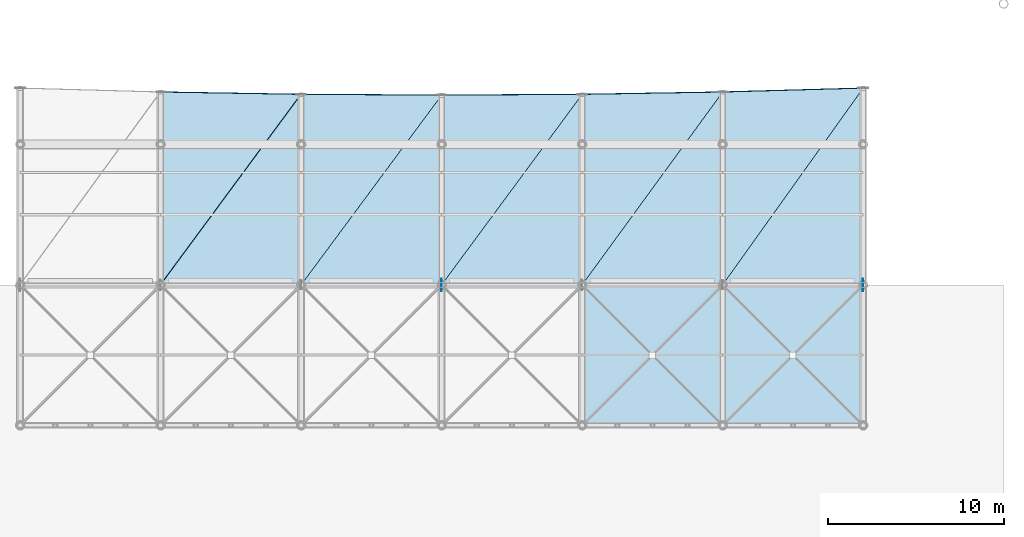
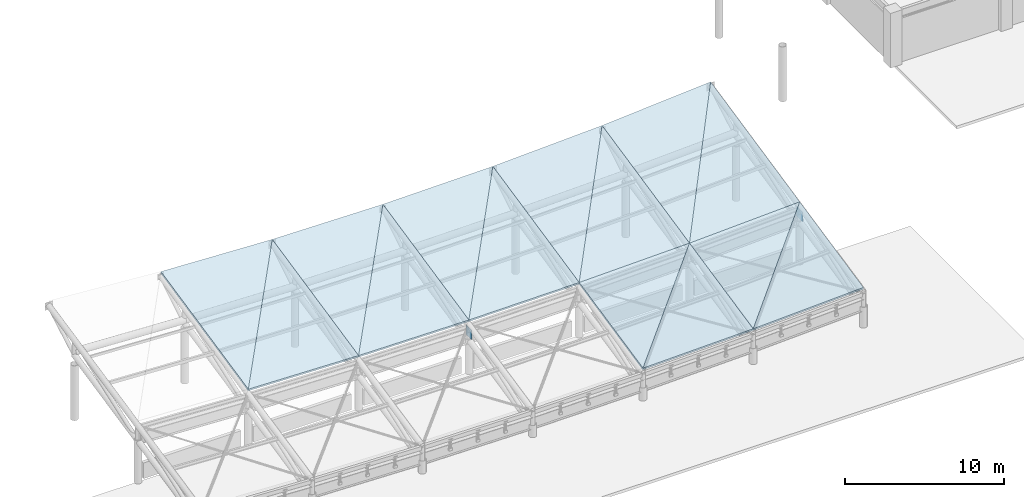
# One storey, part 43 of 78: 14 slabs, 2 plates.
"""IFC4 building model written with IfcOpenShell, lengths in metres."""

from ifc_helpers import new_model, si_unit, direction, frame, origin, origin_2d, place, context, subcontext, project, spatial, polyline, rectangle, outline, extrude, material, layer, layer_set, type_object, element, save


model = new_model("IFC4")

# Units and contexts
model_context = context("Model", 3, precision=1e-05, world=origin(), true_north=direction((0.0, 1.0)))
body_context = subcontext(model_context, "Body", "Model", "MODEL_VIEW")
ifc_project = project(units=[si_unit("LENGTHUNIT", "METRE"), si_unit("AREAUNIT", "SQUARE_METRE"), si_unit("VOLUMEUNIT", "CUBIC_METRE"), si_unit("PLANEANGLEUNIT", "RADIAN"), si_unit("MASSUNIT", "GRAM", prefix="KILO")], contexts=[model_context])

# Site, building, storey
site_placement = place(None, origin())
site = spatial("IfcSite", under=ifc_project, at=site_placement, CompositionType="ELEMENT")
building_placement = place(site_placement, origin())
building = spatial("IfcBuilding", under=site, at=building_placement, Name="Haebicheon Civic Stadium", CompositionType="ELEMENT")
storey_placement = place(building_placement, frame((0.0, 0.0, 18.60009765625)))
storey = spatial("IfcBuildingStorey", under=building, at=storey_placement, Name="L05", CompositionType="ELEMENT", Elevation=18.60009765625)

# Plates
ifc_material_1 = material(Name="White painted steel SM490", Category="steel")
ifc_layer_1 = layer(ifc_material_1, 0.031982421875, Name="White painted steel SM490")
ifc_layer_set_1 = layer_set([ifc_layer_1], Name="White painted steel SM490")
plate_type = type_object("IfcPlateType", Name="PLT-GUS-32", PredefinedType="USERDEFINED", material=ifc_layer_set_1)
for number, where, z_axis, x_axis, name in (
    (1, (104.0, 32.0, 2.7119140625), (0.0, 0.0, 1.0), (0.0, 1.0, 0.0), "CAN-SOUTH heel node gusset plate KN-H04"),
    (2, (128.0, 32.0, 3.3720703125), (0.0, 0.0, 1.0), (0.0, 1.0, 0.0), "CAN-SOUTH heel node gusset plate KN-H07"),
):
    element("IfcPlate", number, at=place(storey_placement, frame(where, z_axis=z_axis, x_axis=x_axis)), inside=storey, type_object=plate_type, material=ifc_layer_set_1, Name=name, ObjectType="GUSSET PLATE", PredefinedType="USERDEFINED", context=body_context, shape_type="SweptSolid", body=[
        extrude(rectangle(XDim=0.719970703125, YDim=0.031982421875, at=origin_2d()), origin(), (0.0, 0.0, 1.0), 0.719970703125),
    ])

# Slabs
ifc_material_2 = material(Name="White painted steel SM490", Category="steel")
ifc_layer_2 = layer(ifc_material_2, 0.159912109375, Name="White painted steel SM490")
ifc_layer_set_2 = layer_set([ifc_layer_2], Name="White painted steel SM490")
slab_type = type_object("IfcSlabType", Name="SLB-CAN-160", PredefinedType="ROOF", material=ifc_layer_set_2)
slab_1_placement = place(storey_placement, frame((88.0, 32.0, 4.29296875), z_axis=(0.026901920407, -0.210085526148, 0.977312825241), x_axis=(0.0, 0.977666664467, 0.210161588283)))
element("IfcSlab", 3, at=slab_1_placement, inside=storey, type_object=slab_type, material=ifc_layer_set_2, Name="CAN-SOUTH curled canopy facet 2.CT-A", PredefinedType="ROOF", context=body_context, shape_type="SweptSolid", body=[
    extrude(outline(polyline([(0.0, 0.0), (11.22880399091171, 0.0), (11.045429035139918, -8.00289642551745), (0.0, 0.0)])), origin(), (0.0, 0.0, -1.0), 0.159912109375),
])
slab_2_placement = place(storey_placement, frame((88.0, 32.0, 4.29296875), z_axis=(0.026872667337, -0.2100649622, 0.977318050282), x_axis=(0.586513016395, 0.795017964149, 0.154754380486)))
element("IfcSlab", 4, at=slab_2_placement, inside=storey, type_object=slab_type, material=ifc_layer_set_2, Name="CAN-SOUTH curled canopy facet 2.CT-B", PredefinedType="ROOF", context=body_context, shape_type="SweptSolid", body=[
    extrude(outline(polyline([(0.0, 0.0), (13.639935988408153, 7.771561172376096e-16), (4.658062701275256, -6.507752221867516), (0.0, 0.0)])), origin(), (0.0, 0.0, -1.0), 0.159912109375),
])
slab_3_placement = place(storey_placement, frame((96.0, 32.0, 4.072998046875), z_axis=(0.008840428225, -0.210132639739, 0.977632917073), x_axis=(0.0, 0.977671121869, 0.210140851487)))
element("IfcSlab", 5, at=slab_3_placement, inside=storey, type_object=slab_type, material=ifc_layer_set_2, Name="CAN-SOUTH curled canopy facet 3.CT-A", PredefinedType="ROOF", context=body_context, shape_type="SweptSolid", body=[
    extrude(outline(polyline([(0.0, 0.0), (11.091658429979399, 0.0), (11.03150755420195, -8.000312631009733), (0.0, 0.0)])), origin(), (0.0, 0.0, -1.0), 0.159912109375),
])
slab_4_placement = place(storey_placement, frame((96.0, 32.0, 4.072998046875), z_axis=(0.008920543912, -0.210189296582, 0.977620009768), x_axis=(0.587063414322, 0.792539192485, 0.165039922263)))
element("IfcSlab", 6, at=slab_4_placement, inside=storey, type_object=slab_type, material=ifc_layer_set_2, Name="CAN-SOUTH curled canopy facet 3.CT-B", PredefinedType="ROOF", context=body_context, shape_type="SweptSolid", body=[
    extrude(outline(polyline([(0.0, 0.0), (13.627147944904262, -2.220446049250313e-16), (4.6844597225905344, -6.485458027177001), (0.0, 0.0)])), origin(), (0.0, 0.0, -1.0), 0.159912109375),
])
slab_5_placement = place(storey_placement, frame((104.0, 32.0, 4.0), z_axis=(-0.008839991367, -0.210189446948, 0.977620709142), x_axis=(0.0, 0.977658909685, 0.210197660104)))
element("IfcSlab", 7, at=slab_5_placement, inside=storey, type_object=slab_type, material=ifc_layer_set_2, Name="CAN-SOUTH curled canopy facet 4.CT-A", PredefinedType="ROOF", context=body_context, shape_type="SweptSolid", body=[
    extrude(outline(polyline([(0.0, 0.0), (11.046847444578171, 0.0), (11.107002429899982, -8.000312600110796), (0.0, 0.0)])), origin(), (0.0, 0.0, -1.0), 0.159912109375),
])
slab_6_placement = place(storey_placement, frame((104.0, 32.0, 4.0), z_axis=(-0.008920655332, -0.210132490016, 0.977632220494), x_axis=(0.584439248595, 0.792206973414, 0.175610011037)))
element("IfcSlab", 8, at=slab_6_placement, inside=storey, type_object=slab_type, material=ifc_layer_set_2, Name="CAN-SOUTH curled canopy facet 4.CT-B", PredefinedType="ROOF", context=body_context, shape_type="SweptSolid", body=[
    extrude(outline(polyline([(0.0, 0.0), (13.688334620299715, -2.7755575615628914e-16), (4.688333176574547, -6.482658462411697), (0.0, 0.0)])), origin(), (0.0, 0.0, -1.0), 0.159912109375),
])
slab_7_placement = place(storey_placement, frame((112.0, 24.0, 2.352783203125), z_axis=(-0.026872189319, -0.210145888951, 0.977300665506), x_axis=(0.0, 0.977653718245, 0.210221804772)))
element("IfcSlab", 9, at=slab_7_placement, inside=storey, type_object=slab_type, material=ifc_layer_set_2, Name="CAN-SOUTH curled canopy facet 5.BS-A", PredefinedType="ROOF", context=body_context, shape_type="SweptSolid", body=[
    extrude(outline(polyline([(0.0, 0.0), (8.182856415009239, 6.938893903907228e-18), (8.229099053217052, -8.002890023525556), (0.0, 0.0)])), origin(), (0.0, 0.0, -1.0), 0.159912109375),
])
slab_8_placement = place(storey_placement, frame((112.0, 24.0, 2.352783203125), z_axis=(-0.026902161196, -0.210117212442, 0.977306006714), x_axis=(0.696933073063, 0.696933073063, 0.169022434437)))
element("IfcSlab", 10, at=slab_8_placement, inside=storey, type_object=slab_type, material=ifc_layer_set_2, Name="CAN-SOUTH curled canopy facet 5.BS-B", PredefinedType="ROOF", context=body_context, shape_type="SweptSolid", body=[
    extrude(outline(polyline([(0.0, 0.0), (11.478864053394075, 3.885780586188048e-16), (5.612685833490747, -5.7049322793474175), (0.0, 0.0)])), origin(), (0.0, 0.0, -1.0), 0.159912109375),
])
slab_9_placement = place(storey_placement, frame((112.0, 32.0, 4.072998046875), z_axis=(-0.026902406056, -0.21006479411, 0.977317268252), x_axis=(0.0, 0.977671121869, 0.210140851487)))
element("IfcSlab", 11, at=slab_9_placement, inside=storey, type_object=slab_type, material=ifc_layer_set_2, Name="CAN-SOUTH curled canopy facet 5.CT-A", PredefinedType="ROOF", context=body_context, shape_type="SweptSolid", body=[
    extrude(outline(polyline([(0.0, 0.0), (11.091658429979399, 0.0), (11.275028819242689, -8.002896530151174), (0.0, 0.0)])), origin(), (0.0, 0.0, -1.0), 0.159912109375),
])
slab_10_placement = place(storey_placement, frame((112.0, 32.0, 4.072998046875), z_axis=(-0.026872544908, -0.210085692199, 0.977313597707), x_axis=(0.578598271779, 0.79398345608, 0.186585935605)))
element("IfcSlab", 12, at=slab_10_placement, inside=storey, type_object=slab_type, material=ifc_layer_set_2, Name="CAN-SOUTH curled canopy facet 5.CT-B", PredefinedType="ROOF", context=body_context, shape_type="SweptSolid", body=[
    extrude(outline(polyline([(0.0, 0.0), (13.82651900324369, 4.440892098500626e-16), (4.66982961368232, -6.49931369372251), (0.0, 0.0)])), origin(), (0.0, 0.0, -1.0), 0.159912109375),
])
slab_11_placement = place(storey_placement, frame((120.0, 24.0, 2.572998046875), z_axis=(-0.04479820364, -0.209982265232, 0.97667833458), x_axis=(0.0, 0.977659849808, 0.210193287411)))
element("IfcSlab", 13, at=slab_11_placement, inside=storey, type_object=slab_type, material=ifc_layer_set_2, Name="CAN-SOUTH curled canopy facet 6.BS-A", PredefinedType="ROOF", context=body_context, shape_type="SweptSolid", body=[
    extrude(outline(polyline([(0.0, 0.0), (8.182805094807545, 0.0), (8.259934125808387, -8.008039619130656), (0.0, 0.0)])), origin(), (0.0, 0.0, -1.0), 0.159912109375),
])
slab_12_placement = place(storey_placement, frame((120.0, 24.0, 2.572998046875), z_axis=(-0.04479820364, -0.209982265232, 0.97667833458), x_axis=(0.695375628973, 0.695375628973, 0.181398647353)))
element("IfcSlab", 14, at=slab_12_placement, inside=storey, type_object=slab_type, material=ifc_layer_set_2, Name="CAN-SOUTH curled canopy facet 6.BS-B", PredefinedType="ROOF", context=body_context, shape_type="SweptSolid", body=[
    extrude(outline(polyline([(0.0, 0.0), (11.504573451643491, 2.7755575615628914e-16), (5.62956806082789, -5.695841542519939), (0.0, 0.0)])), origin(), (0.0, 0.0, -1.0), 0.159912109375),
])
slab_13_placement = place(storey_placement, frame((120.0, 32.0, 4.29296875), z_axis=(-0.044846084243, -0.209950146444, 0.976683042105), x_axis=(0.0, 0.977666664467, 0.210161588283)))
element("IfcSlab", 15, at=slab_13_placement, inside=storey, type_object=slab_type, material=ifc_layer_set_2, Name="CAN-SOUTH curled canopy facet 6.CT-A", PredefinedType="ROOF", context=body_context, shape_type="SweptSolid", body=[
    extrude(outline(polyline([(0.0, 0.0), (11.22880399091171, 0.0), (11.532996788295, -8.008056839890104), (0.0, 0.0)])), origin(), (0.0, 0.0, -1.0), 0.159912109375),
])
slab_14_placement = place(storey_placement, frame((120.0, 32.0, 4.29296875), z_axis=(-0.044798195028, -0.209983140321, 0.976678146834), x_axis=(0.569775438713, 0.797682136565, 0.197633900037)))
element("IfcSlab", 16, at=slab_14_placement, inside=storey, type_object=slab_type, material=ifc_layer_set_2, Name="CAN-SOUTH curled canopy facet 6.CT-B", PredefinedType="ROOF", context=body_context, shape_type="SweptSolid", body=[
    extrude(outline(polyline([(0.0, 0.0), (14.040619262330756, 4.440892098500626e-16), (4.630723956911862, -6.533838310202662), (0.0, 0.0)])), origin(), (0.0, 0.0, -1.0), 0.159912109375),
])

save(model, "model.ifc")
